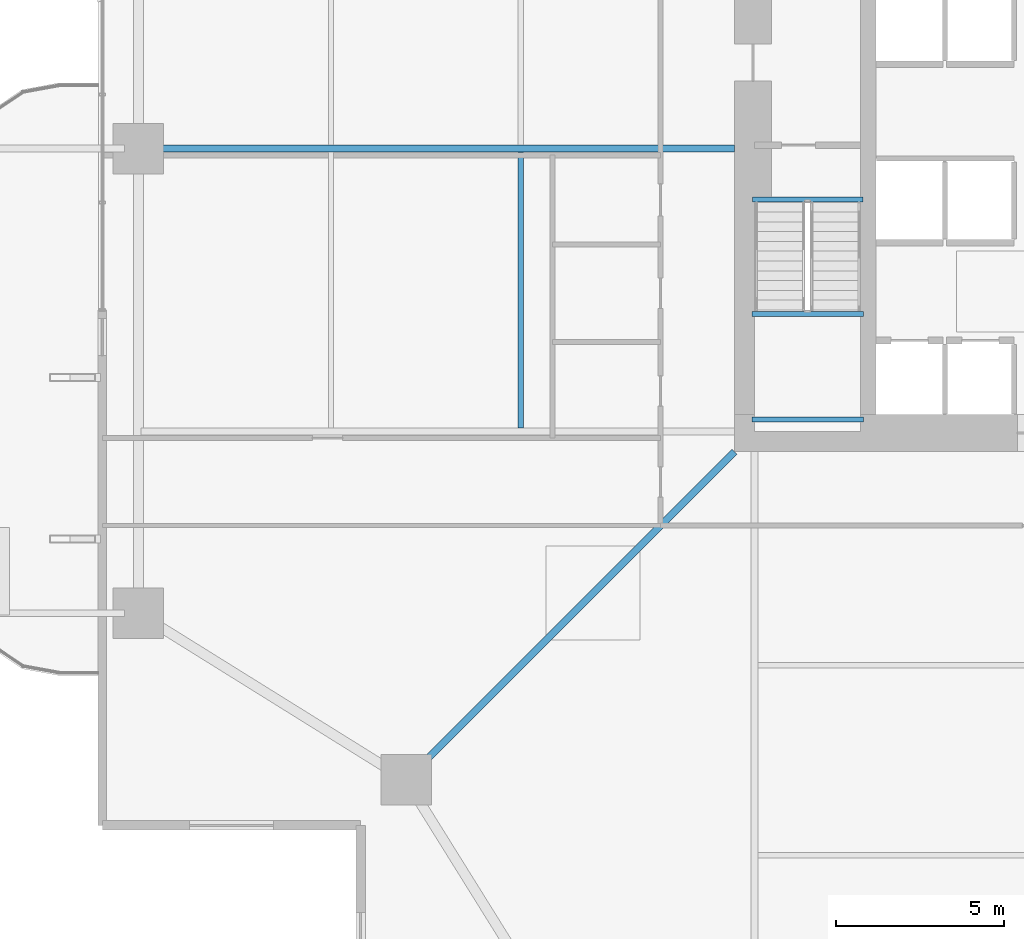
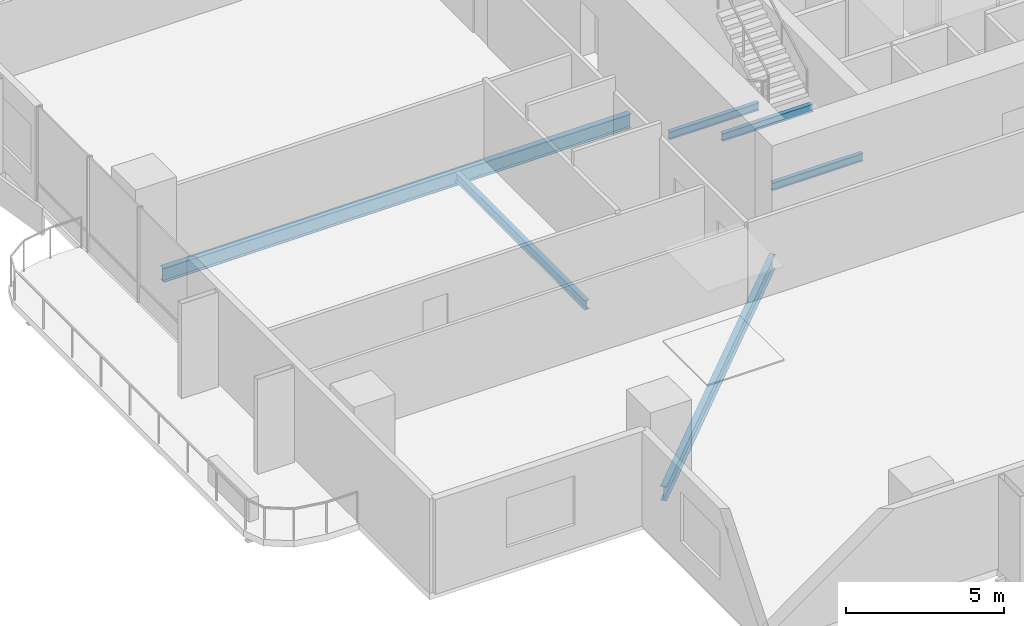
# One storey, part 5 of 23: 6 beams.
"""IFC4 building model written with IfcOpenShell, lengths in metres."""

from ifc_helpers import new_model, si_unit, direction, frame, origin, origin_2d, place, context, subcontext, project, spatial, i_section, extrude, material, material_profile, profile_set, type_object, element, save


model = new_model("IFC4")

# Units and contexts
model_context = context("Model", 3, precision=1e-05, world=origin(), true_north=direction((0.0, 1.0)))
body_context = subcontext(model_context, "Body", "Model", "MODEL_VIEW")
ifc_project = project(units=[si_unit("LENGTHUNIT", "METRE"), si_unit("AREAUNIT", "SQUARE_METRE"), si_unit("VOLUMEUNIT", "CUBIC_METRE"), si_unit("PLANEANGLEUNIT", "RADIAN"), si_unit("MASSUNIT", "GRAM", prefix="KILO")], contexts=[model_context])

# Site, building, storey
site_placement = place(None, origin())
site = spatial("IfcSite", under=ifc_project, at=site_placement, CompositionType="ELEMENT")
building_placement = place(site_placement, origin())
building = spatial("IfcBuilding", under=site, at=building_placement, Name="Belovzor Exchange Tower", CompositionType="ELEMENT")
storey_placement = place(building_placement, frame((0.0, 0.0, 84.60009765625)))
storey = spatial("IfcBuildingStorey", under=building, at=storey_placement, Name="L20", CompositionType="ELEMENT", Elevation=84.60009765625)

# Beams
ifc_material_1 = material(Name="Steel S355", Category="steel")
ifc_material_profile_1 = material_profile(ifc_material_1, i_section(OverallWidth=0.169921875, OverallDepth=0.360107421875, WebThickness=0.008056640625, FlangeThickness=0.0126953125, at=origin_2d()))
ifc_profile_set_1 = profile_set([ifc_material_profile_1], Name="Steel S355")
beam_type_1 = type_object("IfcBeamType", Name="Secondary Infill Floor Joist IPE 360", PredefinedType="BEAM", material=ifc_profile_set_1)
beam_1_placement = place(storey_placement, frame((13.455078125, 20.5048828125, -0.43017578125), z_axis=(0.0, 1.0, 0.0), x_axis=(-1.0, 0.0, 0.0)))
element("IfcBeam", 1, at=beam_1_placement, inside=storey, type_object=beam_type_1, Name="FJ-360 Secondary Infill Floor Joist IPE 360", PredefinedType="BEAM", context=body_context, shape_type="SweptSolid", body=[
    extrude(i_section(OverallWidth=0.169921875, OverallDepth=0.360107421875, WebThickness=0.008056640625, FlangeThickness=0.0126953125, at=origin_2d()), origin(), (0.0, 0.0, 1.0), 8.190185546875),
])
ifc_material_2 = material(Name="Steel S355", Category="steel")
ifc_material_profile_2 = material_profile(ifc_material_2, i_section(OverallWidth=0.14990234375, OverallDepth=0.300048828125, WebThickness=0.007080078125, FlangeThickness=0.0107421875, at=origin_2d()))
ifc_profile_set_2 = profile_set([ifc_material_profile_2], Name="Steel S355")
beam_type_2 = type_object("IfcBeamType", Name="Secondary Trim Floor Joist IPE 300", PredefinedType="BEAM", material=ifc_profile_set_2)
for number, where, z_axis, x_axis, name in (
    (2, (20.320068359375, 23.889892578125, 1.599853515625), (1.0, 0.0, 0.0), (0.0, 1.0, 0.0), "FJ-300 Secondary Trim Floor Joist IPE 300"),
    (3, (20.320068359375, 20.75, 1.599853515625), (1.0, 0.0, 0.0), (0.0, 1.0, 0.0), "FJ-300 Secondary Trim Floor Joist IPE 300"),
):
    element("IfcBeam", number, at=place(storey_placement, frame(where, z_axis=z_axis, x_axis=x_axis)), inside=storey, type_object=beam_type_2, Name=name, PredefinedType="BEAM", context=body_context, shape_type="SweptSolid", body=[
        extrude(i_section(OverallWidth=0.14990234375, OverallDepth=0.300048828125, WebThickness=0.007080078125, FlangeThickness=0.0107421875, at=origin_2d()), origin(), (0.0, 0.0, 1.0), 3.309814453125),
    ])
beam_2_placement = place(storey_placement, frame((20.340087890625, 27.280029296875, -0.400146484375), z_axis=(1.0, 0.0, 0.0), x_axis=(0.0, 1.0, 0.0)))
element("IfcBeam", 4, at=beam_2_placement, inside=storey, type_object=beam_type_2, Name="FJ-300 Secondary Trim Floor Joist IPE 300", PredefinedType="BEAM", context=body_context, shape_type="SweptSolid", body=[
    extrude(i_section(OverallWidth=0.14990234375, OverallDepth=0.300048828125, WebThickness=0.007080078125, FlangeThickness=0.0107421875, at=origin_2d()), origin(), (0.0, 0.0, 1.0), 3.27001953125),
])
ifc_material_3 = material(Name="Steel S355", Category="steel")
ifc_material_profile_3 = material_profile(ifc_material_3, i_section(OverallWidth=0.2099609375, OverallDepth=0.550048828125, WebThickness=0.010986328125, FlangeThickness=0.01708984375, at=origin_2d()))
ifc_profile_set_3 = profile_set([ifc_material_profile_3], Name="Steel S355")
beam_type_3 = type_object("IfcBeamType", Name="Zone 1 Radial Composite Floor Beam IPE 550", PredefinedType="BEAM", material=ifc_profile_set_3)
beam_3_placement = place(storey_placement, frame((19.800048828125, 28.800048828125, -0.525146484375), z_axis=(-1.0, 0.0, 0.0), x_axis=(0.0, -1.0, 0.0)))
element("IfcBeam", 5, at=beam_3_placement, inside=storey, type_object=beam_type_3, Name="FB-550 Zone 1 Radial Composite Floor Beam IPE 550", PredefinedType="BEAM", context=body_context, shape_type="SweptSolid", body=[
    extrude(i_section(OverallWidth=0.2099609375, OverallDepth=0.550048828125, WebThickness=0.010986328125, FlangeThickness=0.01708984375, at=origin_2d()), origin(), (0.0, 0.0, 1.0), 17.0400390625),
])
beam_4_placement = place(storey_placement, frame((19.800048828125, 19.800048828125, -0.525146484375), z_axis=(-0.707106781187, -0.707106781187, 0.0), x_axis=(0.707106781187, -0.707106781187, 0.0)))
element("IfcBeam", 6, at=beam_4_placement, inside=storey, type_object=beam_type_3, Name="FB-550 Zone 1 Radial Composite Floor Beam IPE 550", PredefinedType="BEAM", context=body_context, shape_type="SweptSolid", body=[
    extrude(i_section(OverallWidth=0.2099609375, OverallDepth=0.550048828125, WebThickness=0.010986328125, FlangeThickness=0.01708984375, at=origin_2d()), origin(), (0.0, 0.0, 1.0), 13.25830078125),
])

save(model, "model.ifc")
